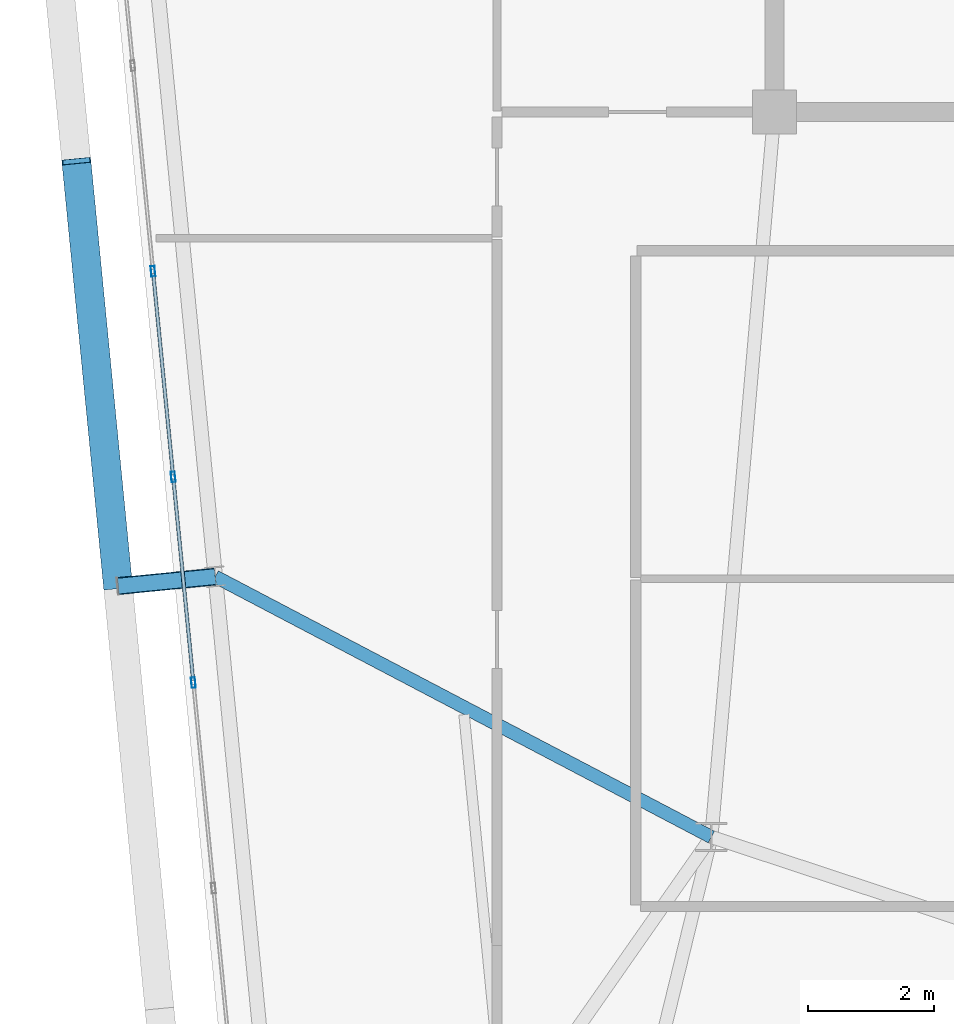
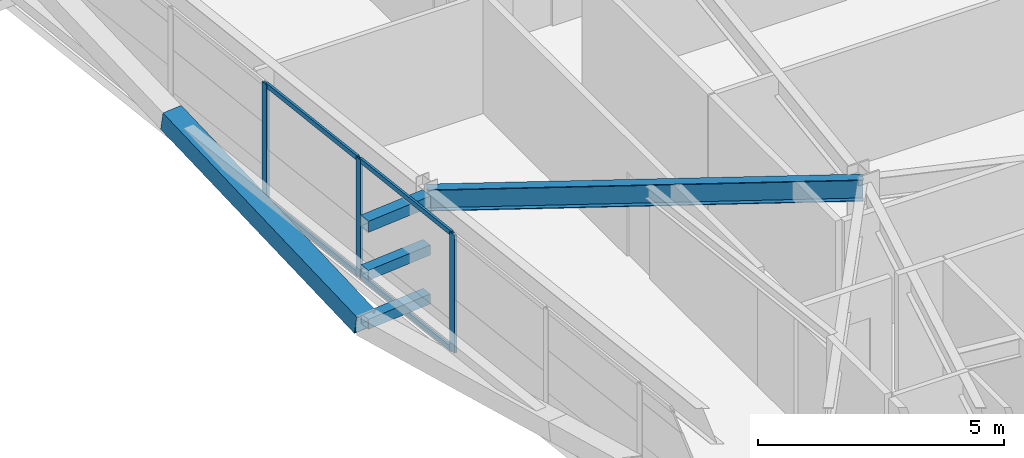
# One storey, part 13 of 52: 11 members, 1 beam, 1 element without a shape of its own.
"""IFC4 building model written with IfcOpenShell, lengths in metres."""

from ifc_helpers import new_model, si_unit, direction, frame, origin, origin_2d, place, context, subcontext, project, spatial, hollow_rectangle, i_section, extrude, source, transform, mapped, material, layer, layer_set, material_profile, profile_set, type_object, element, aggregate, save


model = new_model("IFC4")

# Units and contexts
model_context = context("Model", 3, precision=1e-05, world=origin(), true_north=direction((0.0, 1.0)))
body_context = subcontext(model_context, "Body", "Model", "MODEL_VIEW")
ifc_project = project(units=[si_unit("LENGTHUNIT", "METRE"), si_unit("AREAUNIT", "SQUARE_METRE"), si_unit("VOLUMEUNIT", "CUBIC_METRE"), si_unit("PLANEANGLEUNIT", "RADIAN"), si_unit("MASSUNIT", "GRAM", prefix="KILO")], contexts=[model_context])

# Site, building, storey
site_placement = place(None, origin())
site = spatial("IfcSite", under=ifc_project, at=site_placement, CompositionType="ELEMENT")
building_placement = place(site_placement, origin())
building = spatial("IfcBuilding", under=site, at=building_placement, Name="Taldren Reach Tower", CompositionType="ELEMENT")
storey_placement = place(building_placement, frame((0.0, 0.0, 77.699951171875)))
storey = spatial("IfcBuildingStorey", under=building, at=storey_placement, Name="L23", CompositionType="ELEMENT", Elevation=77.699951171875)

# Beam
ifc_material_1 = material(Name="Steel Gr 350 (350PLUS)", Category="steel")
ifc_material_profile_1 = material_profile(ifc_material_1, i_section(OverallWidth=0.208984375, OverallDepth=0.532958984375, WebThickness=0.01025390625, FlangeThickness=0.015625, at=origin_2d()), Name="530UB92.4")
ifc_profile_set_1 = profile_set([ifc_material_profile_1], Name="Steel Gr 350 (350PLUS)")
beam_type = type_object("IfcBeamType", Name="BM-UB530A", PredefinedType="BEAM", material=ifc_profile_set_1)
shared_shape_1 = source(origin(), body_context, "Body", "SweptSolid", [
    extrude(i_section(OverallWidth=0.208984375, OverallDepth=0.532958984375, WebThickness=0.01025390625, FlangeThickness=0.015625, at=origin_2d()), origin(), (0.0, 0.0, 1.0), 8.8876953125),
])
beam_placement = place(storey_placement, frame((18.0, 12.5, 2.66357421875), z_axis=(-0.885412881876, 0.464805366371, 0.0), x_axis=(-0.464805366371, -0.885412881876, 0.0)))
element("IfcBeam", 1, at=beam_placement, inside=storey, type_object=beam_type, Name="Primary floor girder B2-W2 L23", PredefinedType="BEAM", context=body_context, shape_type="MappedRepresentation", body=[
    mapped(shared_shape_1, transform((0.0, 0.0, 0.0), scale=1.0)),
])

# Members
ifc_material_2 = material(Name="Steel Gr 450 (C450L0)", Category="steel")
ifc_material_profile_2 = material_profile(ifc_material_2, hollow_rectangle(XDim=0.27490234375, YDim=0.27490234375, WallThickness=0.00927734375, at=origin_2d()), Name="275x275x9.3SHS")
ifc_profile_set_2 = profile_set([ifc_material_profile_2], Name="Steel Gr 450 (C450L0)")
member_type_1 = type_object("IfcMemberType", Name="MB-TIE273", PredefinedType="STRUT", material=ifc_profile_set_2)
shared_shape_2 = source(origin(), body_context, "Body", "SweptSolid", [
    extrude(hollow_rectangle(XDim=0.27490234375, YDim=0.27490234375, WallThickness=0.00927734375, at=origin_2d()), origin(), (0.0, 0.0, 1.0), 1.550048828125),
])
member_1_placement = place(storey_placement, frame((10.130615234375, 16.631103515625, 2.650146484375), z_axis=(-0.9952210252, -0.097647892962, 0.0), x_axis=(0.097647892962, -0.9952210252, 0.0)))
element("IfcMember", 2, at=member_1_placement, inside=storey, type_object=member_type_1, Name="Exoskeleton diaphragm tie strut B2-W2 L23", PredefinedType="STRUT", context=body_context, shape_type="MappedRepresentation", body=[
    mapped(shared_shape_2, transform((0.0, 0.0, 0.0), scale=1.0)),
])
ifc_material_3 = material(Name="Steel Gr 350 (C350L0)", Category="steel")
ifc_material_profile_3 = material_profile(ifc_material_3, hollow_rectangle(XDim=0.25, YDim=0.25, WallThickness=0.010009765625, at=origin_2d()), Name="250x250x10.0SHS")
ifc_profile_set_3 = profile_set([ifc_material_profile_3], Name="Steel Gr 350 (C350L0)")
member_type_2 = type_object("IfcMemberType", Name="MB-POST250", PredefinedType="POST", material=ifc_profile_set_3)
shared_shape_3 = source(origin(), body_context, "Body", "SweptSolid", [
    extrude(hollow_rectangle(XDim=0.25, YDim=0.25, WallThickness=0.010009765625, at=origin_2d()), origin(), (0.0, 0.0, 1.0), 1.550048828125),
])
for number, where, z_axis, x_axis, name in (
    (3, (10.130615234375, 16.631103515625, 0.219970703125), (-0.9952210252, -0.097647892962, 0.0), (0.097647892962, -0.9952210252, 0.0), "Exoskeleton base diaphragm tie strut B2-W2 L23"),
    (4, (10.130615234375, 16.631103515625, 1.43505859375), (-0.9952210252, -0.097647892962, 0.0), (0.097647892962, -0.9952210252, 0.0), "Exoskeleton mid-tier diaphragm tie B2-W2 L23"),
):
    element("IfcMember", number, at=place(storey_placement, frame(where, z_axis=z_axis, x_axis=x_axis)), inside=storey, type_object=member_type_2, Name=name, PredefinedType="POST", context=body_context, shape_type="MappedRepresentation", body=[
        mapped(shared_shape_3, transform((0.0, 0.0, 0.0), scale=1.0)),
    ])
ifc_material_profile_4 = material_profile(ifc_material_2, hollow_rectangle(XDim=0.4599609375, YDim=0.4599609375, WallThickness=0.01611328125, at=origin_2d()), Name="460x460x16.0SHS")
ifc_profile_set_4 = profile_set([ifc_material_profile_4], Name="Steel Gr 450 (C450L0)")
member_type_3 = type_object("IfcMemberType", Name="MB-EXO457", PredefinedType="BRACE", material=ifc_profile_set_4)
shared_shape_4 = source(origin(), body_context, "Body", "SweptSolid", [
    extrude(hollow_rectangle(XDim=0.4599609375, YDim=0.4599609375, WallThickness=0.01611328125, at=origin_2d()), origin(), (0.0, 0.0, 1.0), 6.883056640625),
])
member_2_placement = place(storey_placement, frame((8.587890625, 16.479736328125, 0.219970703125), z_axis=(-0.09605145821, 0.97959718347, 0.176531797456), x_axis=(-0.995227290009, -0.097584021339, 0.0)))
element("IfcMember", 5, at=member_2_placement, inside=storey, type_object=member_type_3, Name="Exoskeleton Diagrid Brace B2-W2 L23", PredefinedType="BRACE", context=body_context, shape_type="MappedRepresentation", body=[
    mapped(shared_shape_4, transform((0.0, 0.0, 0.0), scale=1.0)),
])

# Curtain wall, members
ifc_material_4 = material(Name="Aluminium and Low-E Glass Unitised System", Category="aluminium")
ifc_layer = layer(ifc_material_4, 0.159912109375)
ifc_layer_set = layer_set([ifc_layer], Name="Aluminium and Low-E Glass Unitised System")
curtain_wall_type = type_object("IfcCurtainWallType", Name="CW-SYS-3", PredefinedType="NOTDEFINED", material=ifc_layer_set)
curtain_wall_placement = place(storey_placement, origin())
curtain_wall = element("IfcCurtainWall", 6, at=curtain_wall_placement, inside=storey, type_object=curtain_wall_type, Name="Unitised curtain wall CW-L23-W", PredefinedType="NOTDEFINED")
ifc_material_5 = material(Name="Anodised Aluminium 6063-T6", Category="aluminium")
ifc_material_profile_5 = material_profile(ifc_material_5, hollow_rectangle(XDim=0.06494140625, YDim=0.1650390625, WallThickness=0.00390625, at=origin_2d()), Name="ALU-165x65x4RHS")
ifc_profile_set_5 = profile_set([ifc_material_profile_5], Name="Anodised Aluminium 6063-T6")
member_type_4 = type_object("IfcMemberType", Name="CW-MUL-165", PredefinedType="MULLION", material=ifc_profile_set_5)
shared_shape_5 = source(origin(), body_context, "Body", "SweptSolid", [
    extrude(hollow_rectangle(XDim=0.06494140625, YDim=0.1650390625, WallThickness=0.00390625, at=origin_2d()), origin(), (0.0, 0.0, 1.0), 2.929931640625),
])
member_3_placement = place(storey_placement, frame((9.14306640625, 21.474609375, 0.0), z_axis=(0.0, 0.0, 1.0), x_axis=(0.99522741555, 0.09758274098, 0.0)))
member_3 = element("IfcMember", 7, at=member_3_placement, type_object=member_type_4, Name="CW-3 mullion 4", PredefinedType="MULLION", context=body_context, shape_type="MappedRepresentation", body=[
    mapped(shared_shape_5, transform((0.0, 0.0, 0.0), scale=1.0)),
])
member_4_placement = place(storey_placement, frame((9.463134765625, 18.21240234375, 0.0), z_axis=(0.0, 0.0, 1.0), x_axis=(0.99522741555, 0.09758274098, 0.0)))
member_4 = element("IfcMember", 8, at=member_4_placement, type_object=member_type_4, Name="CW-3 mullion 5", PredefinedType="MULLION", context=body_context, shape_type="MappedRepresentation", body=[
    mapped(shared_shape_5, transform((0.0, 0.0, 0.0), scale=1.0)),
])
member_5_placement = place(storey_placement, frame((9.782958984375, 14.9501953125, 0.0), z_axis=(0.0, 0.0, 1.0), x_axis=(0.99522741555, 0.09758274098, 0.0)))
member_5 = element("IfcMember", 9, at=member_5_placement, type_object=member_type_4, Name="CW-3 mullion 6", PredefinedType="MULLION", context=body_context, shape_type="MappedRepresentation", body=[
    mapped(shared_shape_5, transform((0.0, 0.0, 0.0), scale=1.0)),
])
ifc_material_profile_6 = material_profile(ifc_material_5, hollow_rectangle(XDim=0.054931640625, YDim=0.1201171875, WallThickness=0.0029296875, at=origin_2d()), Name="ALU-120x55x3RHS")
ifc_profile_set_6 = profile_set([ifc_material_profile_6], Name="Anodised Aluminium 6063-T6")
member_type_5 = type_object("IfcMemberType", Name="CW-TRN-135", PredefinedType="USERDEFINED", material=ifc_profile_set_6)
shared_shape_6 = source(origin(), body_context, "Body", "SweptSolid", [
    extrude(hollow_rectangle(XDim=0.054931640625, YDim=0.1201171875, WallThickness=0.0029296875, at=origin_2d()), origin(), (0.0, 0.0, 1.0), 3.212890625),
])
member_6_placement = place(storey_placement, frame((9.46630859375, 18.18017578125, 0.027587890625), z_axis=(0.097569948235, -0.995228669805, 0.0), x_axis=(0.995228669805, 0.097569948235, 0.0)))
member_6 = element("IfcMember", 10, at=member_6_placement, type_object=member_type_5, Name="CW-3 transom 5.1", ObjectType="TRANSOM", PredefinedType="USERDEFINED", context=body_context, shape_type="MappedRepresentation", body=[
    mapped(shared_shape_6, transform((0.0, 0.0, 0.0), scale=1.0)),
])
member_7_placement = place(storey_placement, frame((9.46630859375, 18.18017578125, 2.902587890625), z_axis=(0.097569948235, -0.995228669805, 0.0), x_axis=(0.995228669805, 0.097569948235, 0.0)))
member_7 = element("IfcMember", 11, at=member_7_placement, type_object=member_type_5, Name="CW-3 transom 5.2", ObjectType="TRANSOM", PredefinedType="USERDEFINED", context=body_context, shape_type="MappedRepresentation", body=[
    mapped(shared_shape_6, transform((0.0, 0.0, 0.0), scale=1.0)),
])
shared_shape_7 = source(origin(), body_context, "Body", "SweptSolid", [
    extrude(hollow_rectangle(XDim=0.054931640625, YDim=0.1201171875, WallThickness=0.0029296875, at=origin_2d()), origin(), (0.0, 0.0, 1.0), 3.212646484375),
])
member_8_placement = place(storey_placement, frame((9.146240234375, 21.442138671875, 0.027587890625), z_axis=(0.097652598057, -0.99522056354, 0.0), x_axis=(0.99522056354, 0.097652598057, 0.0)))
member_8 = element("IfcMember", 12, at=member_8_placement, type_object=member_type_5, Name="CW-3 transom 4.1", ObjectType="TRANSOM", PredefinedType="USERDEFINED", context=body_context, shape_type="MappedRepresentation", body=[
    mapped(shared_shape_7, transform((0.0, 0.0, 0.0), scale=1.0)),
])
member_9_placement = place(storey_placement, frame((9.146240234375, 21.442138671875, 2.902587890625), z_axis=(0.097652598057, -0.99522056354, 0.0), x_axis=(0.99522056354, 0.097652598057, 0.0)))
member_9 = element("IfcMember", 13, at=member_9_placement, type_object=member_type_5, Name="CW-3 transom 4.2", ObjectType="TRANSOM", PredefinedType="USERDEFINED", context=body_context, shape_type="MappedRepresentation", body=[
    mapped(shared_shape_7, transform((0.0, 0.0, 0.0), scale=1.0)),
])
aggregate(curtain_wall, [member_3, member_4, member_5, member_8, member_9, member_6, member_7])

save(model, "model.ifc")
